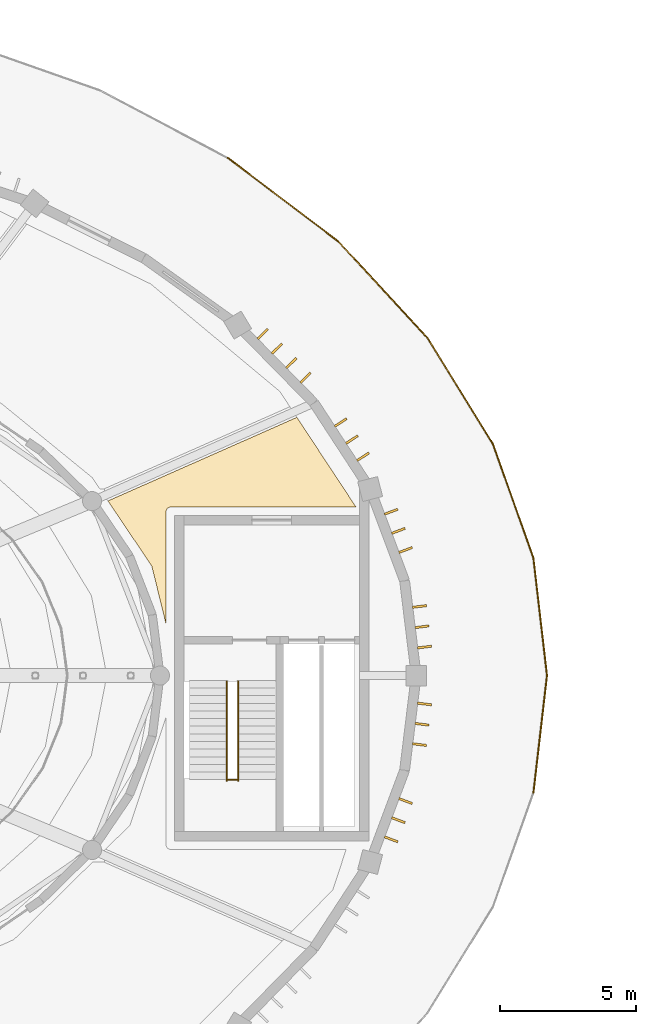
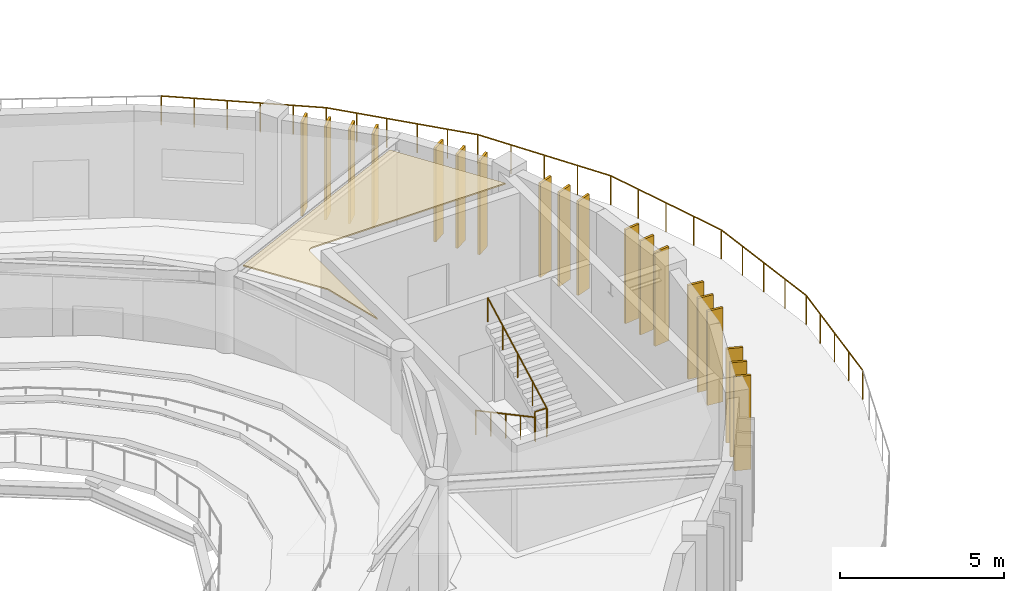
# One storey, part 59 of 63: 19 shading devices, 9 railings, 1 covering.
"""IFC4 building model written with IfcOpenShell, lengths in metres."""

from ifc_helpers import new_model, si_unit, direction, frame, origin, origin_2d, place, context, subcontext, project, spatial, polyline, rectangle, circle, outline, extrude, material, layer, layer_set, type_object, element, save


model = new_model("IFC4")

# Units and contexts
model_context = context("Model", 3, precision=1e-05, world=origin(), true_north=direction((0.0, 1.0)))
body_context = subcontext(model_context, "Body", "Model", "MODEL_VIEW")
ifc_project = project(units=[si_unit("LENGTHUNIT", "METRE"), si_unit("AREAUNIT", "SQUARE_METRE"), si_unit("VOLUMEUNIT", "CUBIC_METRE"), si_unit("PLANEANGLEUNIT", "RADIAN"), si_unit("MASSUNIT", "GRAM", prefix="KILO")], contexts=[model_context])

# Site, building, storey
site_placement = place(None, origin())
site = spatial("IfcSite", under=ifc_project, at=site_placement, CompositionType="ELEMENT")
building_placement = place(site_placement, origin())
building = spatial("IfcBuilding", under=site, at=building_placement, Name="Tarnveldt Headland Concert Hall", CompositionType="ELEMENT")
storey_placement = place(building_placement, frame((0.0, 0.0, 14.39990234375)))
storey = spatial("IfcBuildingStorey", under=building, at=storey_placement, Name="L03", CompositionType="ELEMENT", Elevation=14.39990234375)

# Covering
ifc_material_1 = material(Name="Micro-perforated mvule acoustic ceiling panel", Category="timber")
ifc_layer_1 = layer(ifc_material_1, 0.050048828125, Name="Micro-perforated mvule acoustic ceiling panel", Category="timber")
ifc_layer_set_1 = layer_set([ifc_layer_1], Name="Micro-perforated mvule acoustic ceiling panel")
covering_type = type_object("IfcCoveringType", Name="CV-CEIL50", PredefinedType="CEILING", material=ifc_layer_set_1)
covering_placement = place(storey_placement, frame((0.0, 0.0, 3.91015625)))
element("IfcCovering", 1, at=covering_placement, inside=storey, type_object=covering_type, Name="Acoustic mvule ceiling L03-09-312", PredefinedType="CEILING", context=body_context, shape_type="SweptSolid", body=[
    extrude(outline(polyline([(109.294189453125, 60.679931640625), (102.5, 60.679931640625), (102.482421875, 60.67919921875), (102.46484375, 60.676513671875), (102.44775390625, 60.672119140625), (102.43115234375, 60.666259765625), (102.4150390625, 60.65869140625), (102.39990234375, 60.649658203125), (102.3857421875, 60.63916015625), (102.372802734375, 60.627197265625), (102.36083984375, 60.6142578125), (102.350341796875, 60.60009765625), (102.34130859375, 60.5849609375), (102.333740234375, 60.56884765625), (102.327880859375, 60.55224609375), (102.323486328125, 60.53515625), (102.32080078125, 60.517578125), (102.320068359375, 60.5), (102.320068359375, 56.400390625), (101.807861328125, 58.48486328125), (101.803466796875, 58.5), (101.797607421875, 58.5146484375), (101.79052734375, 58.52880859375), (101.7822265625, 58.542236328125), (100.191162109375, 60.90625), (107.123291015625, 63.971923828125), (109.294189453125, 60.679931640625)])), origin(), (0.0, 0.0, 1.0), 0.050048828125),
])

# Railings
ifc_material_2 = material(Name="Marine stainless steel", Category="steel")
ifc_layer_2 = layer(ifc_material_2, 0.074951171875, Name="Marine stainless steel", Category="steel")
ifc_layer_set_2 = layer_set([ifc_layer_2], Name="Marine stainless steel")
railing_type_1 = type_object("IfcRailingType", Name="RL-BAL110", PredefinedType="BALUSTRADE", material=ifc_layer_set_2)
railing_1_placement = place(storey_placement, frame((116.300048828125, 54.5, 0.0)))
element("IfcRailing", 2, at=railing_1_placement, inside=storey, type_object=railing_type_1, Name="GUARD Drum lookout terrace balustrade 1", PredefinedType="BALUSTRADE", context=body_context, shape_type="SweptSolid", body=[
    extrude(circle(Radius=0.02392578125, at=origin_2d()), frame((0.0, 0.0, 1.076171875), z_axis=(-0.11494260035, 0.993372135015, 0.0), x_axis=(-0.993372135015, -0.11494260035, 0.0)), (0.0, 0.0, 1.0), 4.335205078125),
    extrude(circle(Radius=0.02099609375, at=origin_2d()), origin(), (0.0, 0.0, 1.0), 1.052001953125),
    extrude(circle(Radius=0.02099609375, at=origin_2d()), frame((-0.12451171875, 1.07666015625, 0.0)), (0.0, 0.0, 1.0), 1.052001953125),
    extrude(circle(Radius=0.02099609375, at=origin_2d()), frame((-0.2490234375, 2.1533203125, 0.0)), (0.0, 0.0, 1.0), 1.052001953125),
    extrude(circle(Radius=0.02099609375, at=origin_2d()), frame((-0.373779296875, 3.229736328125, 0.0)), (0.0, 0.0, 1.0), 1.052001953125),
    extrude(circle(Radius=0.02099609375, at=origin_2d()), frame((-0.498291015625, 4.306396484375, 0.0)), (0.0, 0.0, 1.0), 1.052001953125),
])
railing_2_placement = place(storey_placement, frame((115.8017578125, 58.806396484375, 0.0)))
element("IfcRailing", 3, at=railing_2_placement, inside=storey, type_object=railing_type_1, Name="GUARD Drum lookout terrace balustrade 2", PredefinedType="BALUSTRADE", context=body_context, shape_type="SweptSolid", body=[
    extrude(circle(Radius=0.02392578125, at=origin_2d()), frame((0.0, 0.0, 1.076171875), z_axis=(-0.334010357608, 0.942569403816, 0.0), x_axis=(-0.942569403816, -0.334010357608, 0.0)), (0.0, 0.0, 1.0), 4.43017578125),
    extrude(circle(Radius=0.02099609375, at=origin_2d()), origin(), (0.0, 0.0, 1.0), 1.052001953125),
    extrude(circle(Radius=0.02099609375, at=origin_2d()), frame((-0.369873046875, 1.0439453125, 0.0)), (0.0, 0.0, 1.0), 1.052001953125),
    extrude(circle(Radius=0.02099609375, at=origin_2d()), frame((-0.73974609375, 2.087890625, 0.0)), (0.0, 0.0, 1.0), 1.052001953125),
    extrude(circle(Radius=0.02099609375, at=origin_2d()), frame((-1.10986328125, 3.1318359375, 0.0)), (0.0, 0.0, 1.0), 1.052001953125),
    extrude(circle(Radius=0.02099609375, at=origin_2d()), frame((-1.479736328125, 4.17578125, 0.0)), (0.0, 0.0, 1.0), 1.052001953125),
])
railing_3_placement = place(storey_placement, frame((114.322021484375, 62.982177734375, 0.0)))
element("IfcRailing", 4, at=railing_3_placement, inside=storey, type_object=railing_type_1, Name="GUARD Drum lookout terrace balustrade 3", PredefinedType="BALUSTRADE", context=body_context, shape_type="SweptSolid", body=[
    extrude(circle(Radius=0.02392578125, at=origin_2d()), frame((0.0, 0.0, 1.076171875), z_axis=(-0.524979001727, 0.851115178895, 0.0), x_axis=(-0.851115178895, -0.524979001727, 0.0)), (0.0, 0.0, 1.0), 4.60302734375),
    extrude(circle(Radius=0.02099609375, at=origin_2d()), origin(), (0.0, 0.0, 1.0), 1.052001953125),
    extrude(circle(Radius=0.02099609375, at=origin_2d()), frame((-0.60400390625, 0.9794921875, 0.0)), (0.0, 0.0, 1.0), 1.052001953125),
    extrude(circle(Radius=0.02099609375, at=origin_2d()), frame((-1.208251953125, 1.958984375, 0.0)), (0.0, 0.0, 1.0), 1.052001953125),
    extrude(circle(Radius=0.02099609375, at=origin_2d()), frame((-1.8125, 2.938232421875, 0.0)), (0.0, 0.0, 1.0), 1.052001953125),
    extrude(circle(Radius=0.02099609375, at=origin_2d()), frame((-2.41650390625, 3.917724609375, 0.0)), (0.0, 0.0, 1.0), 1.052001953125),
])
railing_4_placement = place(storey_placement, frame((111.905517578125, 66.89990234375, 0.0)))
element("IfcRailing", 5, at=railing_4_placement, inside=storey, type_object=railing_type_1, Name="GUARD Drum lookout terrace balustrade 4", PredefinedType="BALUSTRADE", context=body_context, shape_type="SweptSolid", body=[
    extrude(circle(Radius=0.02392578125, at=origin_2d()), frame((0.0, 0.0, 1.076171875), z_axis=(-0.67944736966, 0.733724247835, 0.0), x_axis=(-0.733724247835, -0.67944736966, 0.0)), (0.0, 0.0, 1.0), 4.826416015625),
    extrude(circle(Radius=0.02099609375, at=origin_2d()), origin(), (0.0, 0.0, 1.0), 1.052001953125),
    extrude(circle(Radius=0.02099609375, at=origin_2d()), frame((-0.65576171875, 0.708251953125, 0.0)), (0.0, 0.0, 1.0), 1.052001953125),
    extrude(circle(Radius=0.02099609375, at=origin_2d()), frame((-1.311767578125, 1.41650390625, 0.0)), (0.0, 0.0, 1.0), 1.052001953125),
    extrude(circle(Radius=0.02099609375, at=origin_2d()), frame((-1.967529296875, 2.124755859375, 0.0)), (0.0, 0.0, 1.0), 1.052001953125),
    extrude(circle(Radius=0.02099609375, at=origin_2d()), frame((-2.62353515625, 2.8330078125, 0.0)), (0.0, 0.0, 1.0), 1.052001953125),
    extrude(circle(Radius=0.02099609375, at=origin_2d()), frame((-3.279296875, 3.541259765625, 0.0)), (0.0, 0.0, 1.0), 1.052001953125),
])
railing_5_placement = place(storey_placement, frame((108.626220703125, 70.441162109375, 0.0)))
element("IfcRailing", 6, at=railing_5_placement, inside=storey, type_object=railing_type_1, Name="GUARD Drum lookout terrace balustrade 5", PredefinedType="BALUSTRADE", context=body_context, shape_type="SweptSolid", body=[
    extrude(circle(Radius=0.02392578125, at=origin_2d()), frame((0.0, 0.0, 1.076171875), z_axis=(-0.797664418204, 0.603101546948, 0.0), x_axis=(-0.603101546948, -0.797664418204, 0.0)), (0.0, 0.0, 1.0), 5.068115234375),
    extrude(circle(Radius=0.02099609375, at=origin_2d()), origin(), (0.0, 0.0, 1.0), 1.052001953125),
    extrude(circle(Radius=0.02099609375, at=origin_2d()), frame((-0.80859375, 0.611328125, 0.0)), (0.0, 0.0, 1.0), 1.052001953125),
    extrude(circle(Radius=0.02099609375, at=origin_2d()), frame((-1.6171875, 1.22265625, 0.0)), (0.0, 0.0, 1.0), 1.052001953125),
    extrude(circle(Radius=0.02099609375, at=origin_2d()), frame((-2.425537109375, 1.833984375, 0.0)), (0.0, 0.0, 1.0), 1.052001953125),
    extrude(circle(Radius=0.02099609375, at=origin_2d()), frame((-3.234130859375, 2.4453125, 0.0)), (0.0, 0.0, 1.0), 1.052001953125),
    extrude(circle(Radius=0.02099609375, at=origin_2d()), frame((-4.042724609375, 3.056640625, 0.0)), (0.0, 0.0, 1.0), 1.052001953125),
])
railing_6_placement = place(storey_placement, frame((115.8017578125, 50.193603515625, 0.0)))
element("IfcRailing", 7, at=railing_6_placement, inside=storey, type_object=railing_type_1, Name="GUARD Drum lookout terrace balustrade 36", PredefinedType="BALUSTRADE", context=body_context, shape_type="SweptSolid", body=[
    extrude(circle(Radius=0.02392578125, at=origin_2d()), frame((0.0, 0.0, 1.076171875), z_axis=(0.11494260035, 0.993372135015, 0.0), x_axis=(-0.993372135015, 0.11494260035, 0.0)), (0.0, 0.0, 1.0), 4.335205078125),
    extrude(circle(Radius=0.02099609375, at=origin_2d()), origin(), (0.0, 0.0, 1.0), 1.052001953125),
    extrude(circle(Radius=0.02099609375, at=origin_2d()), frame((0.12451171875, 1.07666015625, 0.0)), (0.0, 0.0, 1.0), 1.052001953125),
    extrude(circle(Radius=0.02099609375, at=origin_2d()), frame((0.2490234375, 2.1533203125, 0.0)), (0.0, 0.0, 1.0), 1.052001953125),
    extrude(circle(Radius=0.02099609375, at=origin_2d()), frame((0.373779296875, 3.229736328125, 0.0)), (0.0, 0.0, 1.0), 1.052001953125),
    extrude(circle(Radius=0.02099609375, at=origin_2d()), frame((0.498291015625, 4.306396484375, 0.0)), (0.0, 0.0, 1.0), 1.052001953125),
])
ifc_layer_3 = layer(ifc_material_2, 0.06005859375, Name="Marine stainless steel", Category="steel")
ifc_layer_set_3 = layer_set([ifc_layer_3], Name="Marine stainless steel")
railing_type_2 = type_object("IfcRailingType", Name="RL-GRD110", PredefinedType="GUARDRAIL", material=ifc_layer_set_3)
railing_7_placement = place(storey_placement, frame((104.550048828125, 50.679931640625, 2.10009765625)))
element("IfcRailing", 8, at=railing_7_placement, inside=storey, type_object=railing_type_2, Name="GUARD STR-C2-L03 half-landing well", PredefinedType="GUARDRAIL", context=body_context, shape_type="SweptSolid", body=[
    extrude(circle(Radius=0.02392578125, at=origin_2d()), frame((0.0, 0.0, 1.076171875), z_axis=(1.0, 0.0, 0.0), x_axis=(0.0, 1.0, 0.0)), (0.0, 0.0, 1.0), 0.419921875),
    extrude(circle(Radius=0.02099609375, at=origin_2d()), origin(), (0.0, 0.0, 1.0), 1.052001953125),
    extrude(circle(Radius=0.02099609375, at=origin_2d()), frame((0.419921875, 0.0, 0.0)), (0.0, 0.0, 1.0), 1.052001953125),
])
ifc_layer_4 = layer(ifc_material_2, 0.048095703125, Name="Marine stainless steel", Category="steel")
ifc_layer_set_4 = layer_set([ifc_layer_4], Name="Marine stainless steel")
railing_type_3 = type_object("IfcRailingType", Name="RL-HND092", PredefinedType="HANDRAIL", material=ifc_layer_set_4)
railing_8_placement = place(storey_placement, frame((104.550048828125, 54.280029296875, 0.150146484375)))
element("IfcRailing", 9, at=railing_8_placement, inside=storey, type_object=railing_type_3, Name="HANDRAIL STR-C2-L03 flight 1", PredefinedType="HANDRAIL", context=body_context, shape_type="SweptSolid", body=[
    extrude(circle(Radius=0.02392578125, at=origin_2d()), frame((0.0, 0.0, 0.89599609375), z_axis=(0.0, -0.881492274372, 0.472198443689), x_axis=(1.0, 0.0, 0.0)), (0.0, 0.0, 1.0), 4.12939453125),
    extrude(circle(Radius=0.02099609375, at=origin_2d()), origin(), (0.0, 0.0, 1.0), 0.871826171875),
    extrude(circle(Radius=0.02099609375, at=origin_2d()), frame((0.0, -0.91015625, 0.487548828125)), (0.0, 0.0, 1.0), 0.871826171875),
    extrude(circle(Radius=0.02099609375, at=origin_2d()), frame((0.0, -1.820068359375, 0.97509765625)), (0.0, 0.0, 1.0), 0.871826171875),
    extrude(circle(Radius=0.02099609375, at=origin_2d()), frame((0.0, -2.72998046875, 1.46240234375)), (0.0, 0.0, 1.0), 0.871826171875),
    extrude(circle(Radius=0.02099609375, at=origin_2d()), frame((0.0, -3.64013671875, 1.949951171875)), (0.0, 0.0, 1.0), 0.871826171875),
])
railing_9_placement = place(storey_placement, frame((104.969970703125, 50.639892578125, 2.25)))
element("IfcRailing", 10, at=railing_9_placement, inside=storey, type_object=railing_type_3, Name="HANDRAIL STR-C2-L03 flight 2", PredefinedType="HANDRAIL", context=body_context, shape_type="SweptSolid", body=[
    extrude(circle(Radius=0.02392578125, at=origin_2d()), frame((0.0, 0.0, 0.89599609375), z_axis=(0.0, 0.881467665431, 0.47224438038), x_axis=(-1.0, 0.0, 0.0)), (0.0, 0.0, 1.0), 4.129638671875),
    extrude(circle(Radius=0.02099609375, at=origin_2d()), origin(), (0.0, 0.0, 1.0), 0.871826171875),
    extrude(circle(Radius=0.02099609375, at=origin_2d()), frame((0.0, 0.91015625, 0.487548828125)), (0.0, 0.0, 1.0), 0.871826171875),
    extrude(circle(Radius=0.02099609375, at=origin_2d()), frame((0.0, 1.820068359375, 0.97509765625)), (0.0, 0.0, 1.0), 0.871826171875),
    extrude(circle(Radius=0.02099609375, at=origin_2d()), frame((0.0, 2.72998046875, 1.462646484375)), (0.0, 0.0, 1.0), 0.871826171875),
    extrude(circle(Radius=0.02099609375, at=origin_2d()), frame((0.0, 3.64013671875, 1.9501953125)), (0.0, 0.0, 1.0), 0.871826171875),
])

# Shading devices
ifc_material_3 = material(Name="Terracotta-anodised aluminium EN AW-6063-T6", Category="masonry")
shading_device_type = type_object("IfcShadingDeviceType", Name="SD-FIN520", PredefinedType="USERDEFINED", material=ifc_material_3)
for number, where, z_axis, x_axis, name in (
    (11, (111.805419921875, 55.544189453125, 0.25), (0.0, 0.0, 1.0), (0.992588631597, 0.121522872021, 0.0), "Drum terracotta acoustic solar fin L03-1"),
    (12, (111.714111328125, 56.288818359375, 0.25), (0.0, 0.0, 1.0), (0.992588631597, 0.121522872021, 0.0), "Drum terracotta acoustic solar fin L03-2"),
    (13, (111.622802734375, 57.033203125, 0.25), (0.0, 0.0, 1.0), (0.992588631597, 0.121522872021, 0.0), "Drum terracotta acoustic solar fin L03-3"),
    (14, (111.10888671875, 59.10546875, 0.25), (0.0, 0.0, 1.0), (0.936304939415, 0.35118806988, 0.0), "Drum terracotta acoustic solar fin L03-4"),
    (15, (110.845703125, 59.8076171875, 0.25), (0.0, 0.0, 1.0), (0.936304939415, 0.35118806988, 0.0), "Drum terracotta acoustic solar fin L03-5"),
    (16, (110.582275390625, 60.510009765625, 0.25), (0.0, 0.0, 1.0), (0.936304939415, 0.35118806988, 0.0), "Drum terracotta acoustic solar fin L03-6"),
    (17, (109.550048828125, 62.527099609375, 0.25), (0.0, 0.0, 1.0), (0.837337261414, 0.546686665878, 0.0), "Drum terracotta acoustic solar fin L03-7"),
    (18, (109.14013671875, 63.1552734375, 0.25), (0.0, 0.0, 1.0), (0.837337261414, 0.546686665878, 0.0), "Drum terracotta acoustic solar fin L03-8"),
    (19, (108.72998046875, 63.783203125, 0.25), (0.0, 0.0, 1.0), (0.837337261414, 0.546686665878, 0.0), "Drum terracotta acoustic solar fin L03-9"),
    (20, (107.443603515625, 65.425537109375, 0.25), (0.0, 0.0, 1.0), (0.714106238843, 0.700037341608, 0.0), "Drum terracotta acoustic solar fin L03-10"),
    (21, (106.91845703125, 65.961181640625, 0.25), (0.0, 0.0, 1.0), (0.714106238843, 0.700037341608, 0.0), "Drum terracotta acoustic solar fin L03-11"),
    (22, (106.3935546875, 66.49658203125, 0.25), (0.0, 0.0, 1.0), (0.714106238843, 0.700037341608, 0.0), "Drum terracotta acoustic solar fin L03-12"),
    (23, (105.868408203125, 67.0322265625, 0.25), (0.0, 0.0, 1.0), (0.714106238843, 0.700037341608, 0.0), "Drum terracotta acoustic solar fin L03-13"),
    (24, (110.582275390625, 48.489990234375, 0.25), (0.0, 0.0, 1.0), (0.936304939415, -0.35118806988, 0.0), "Drum terracotta acoustic solar fin L03-90"),
    (25, (110.845703125, 49.1923828125, 0.25), (0.0, 0.0, 1.0), (0.936304939415, -0.35118806988, 0.0), "Drum terracotta acoustic solar fin L03-91"),
    (26, (111.10888671875, 49.89453125, 0.25), (0.0, 0.0, 1.0), (0.936304939415, -0.35118806988, 0.0), "Drum terracotta acoustic solar fin L03-92"),
    (27, (111.622802734375, 51.966796875, 0.25), (0.0, 0.0, 1.0), (0.992588631597, -0.121522872021, 0.0), "Drum terracotta acoustic solar fin L03-93"),
    (28, (111.714111328125, 52.711181640625, 0.25), (0.0, 0.0, 1.0), (0.992588631597, -0.121522872021, 0.0), "Drum terracotta acoustic solar fin L03-94"),
    (29, (111.805419921875, 53.455810546875, 0.25), (0.0, 0.0, 1.0), (0.992588631597, -0.121522872021, 0.0), "Drum terracotta acoustic solar fin L03-95"),
):
    element("IfcShadingDevice", number, at=place(storey_placement, frame(where, z_axis=z_axis, x_axis=x_axis)), inside=storey, type_object=shading_device_type, Name=name, ObjectType="FIN", PredefinedType="USERDEFINED", context=body_context, shape_type="SweptSolid", body=[
        extrude(rectangle(XDim=0.52001953125, YDim=0.080078125, at=origin_2d()), origin(), (0.0, 0.0, 1.0), 3.5),
    ])

save(model, "model.ifc")
